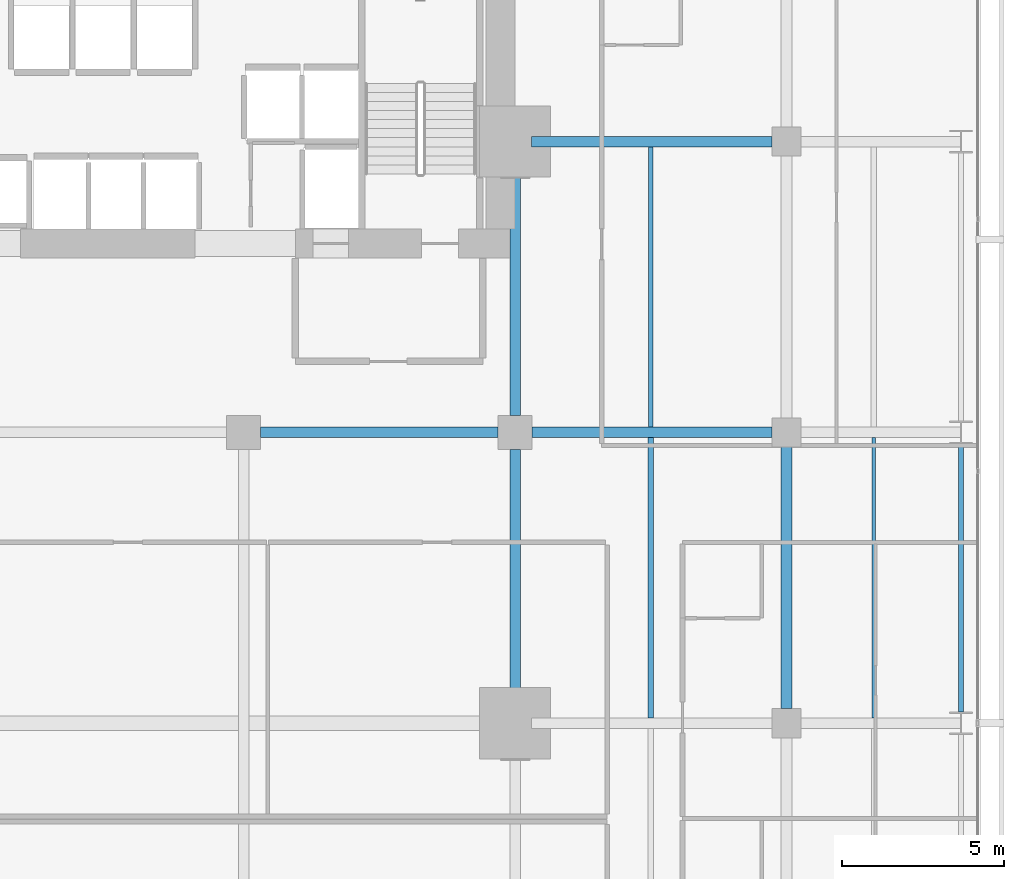
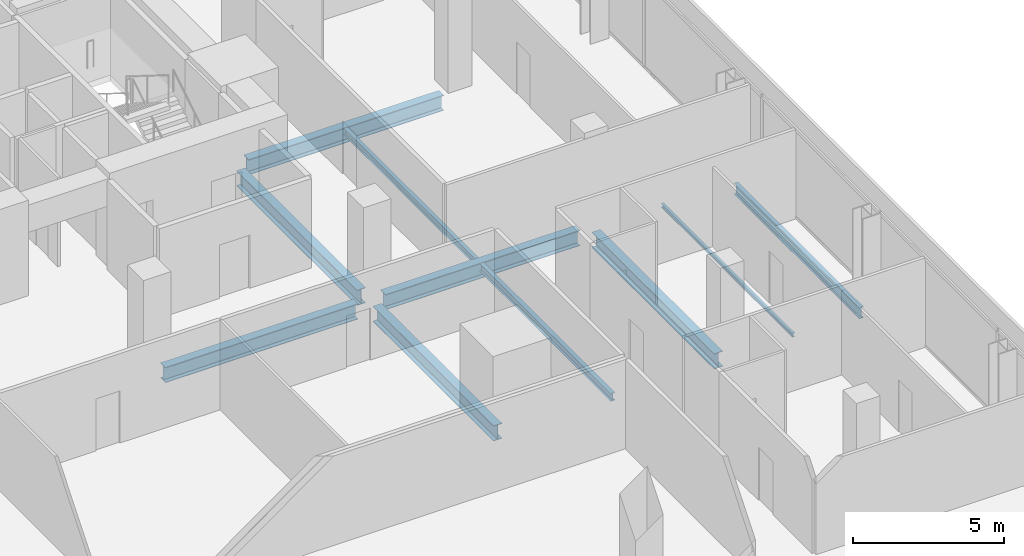
# One storey, part 27 of 39: 10 beams.
"""IFC4 building model written with IfcOpenShell, lengths in metres."""

import ifcopenshell
import ifcopenshell.guid

model = None  # the IFC model being written
_history = None  # IfcOwnerHistory: only IFC2X3 demands one
_inside = {}  # id of a spatial element -> (the spatial element, [elements in it])
_under = {}  # id of a project, library or spatial element -> (it, [spatial elements below it])
_declared = {}  # id of a project -> (the project, [libraries it declares])
_typed = {}  # id of a type object -> (the type object, [elements of that type])
_made_of = {}  # id of a material, layer set ... -> (it, [elements and type objects made of it])


def new_model(schema):
    """Start an empty IFC model of exactly this schema.

    Asked for "IFC4X3", IfcOpenShell would pick the latest addendum, in which some entities
    have other attributes; the version numbers below select the first issue.
    IFC2X3 requires an IfcOwnerHistory on every rooted entity: one is made here for all.
    """
    global model, _history
    if schema == "IFC4X3":
        model = ifcopenshell.file(schema_version=(4, 3, 0, 0))
    else:
        model = ifcopenshell.file(schema=schema)
    _inside.clear()
    _under.clear()
    _declared.clear()
    _typed.clear()
    _made_of.clear()
    _history = None
    if model.schema == "IFC2X3":
        org = make("IfcOrganization", Name="unknown")
        user = make(
            "IfcPersonAndOrganization",
            ThePerson=make("IfcPerson", FamilyName="unknown"),
            TheOrganization=org,
        )
        app = make(
            "IfcApplication",
            ApplicationDeveloper=org,
            Version="unknown",
            ApplicationFullName="unknown",
            ApplicationIdentifier="unknown",
        )
        _history = make(
            "IfcOwnerHistory",
            OwningUser=user,
            OwningApplication=app,
            ChangeAction="ADDED",
            CreationDate=0,
        )
    return model


def make(cls, **values):
    """One entity of the class cls with the attributes given. An attribute that is None is left unset."""
    return model.create_entity(
        cls, **{name: value for name, value in values.items() if value is not None}
    )


def rooted(cls, **values):
    """An entity with a GlobalId (a new one), such as an element, a storey or a relation."""
    return make(cls, GlobalId=ifcopenshell.guid.new(), OwnerHistory=_history, **values)


def si_unit(unit_type, name, prefix=None):
    """IfcSIUnit, for example si_unit("LENGTHUNIT", "METRE", prefix="MILLI")."""
    return make("IfcSIUnit", UnitType=unit_type, Prefix=prefix, Name=name)


def assignment(units):
    """IfcUnitAssignment: the units of a project."""
    return None if units is None else make("IfcUnitAssignment", Units=units)


def point(xyz):
    """IfcCartesianPoint."""
    return None if xyz is None else make("IfcCartesianPoint", Coordinates=xyz)


def direction(xyz):
    """IfcDirection."""
    return None if xyz is None else make("IfcDirection", DirectionRatios=xyz)


def frame(location, z_axis=None, x_axis=None):
    """IfcAxis2Placement3D, a coordinate frame: its origin and axes. An axis left out is left unset."""
    return make(
        "IfcAxis2Placement3D",
        Location=point(location),
        Axis=direction(z_axis),
        RefDirection=direction(x_axis),
    )


def frame_2d(location, x_axis=None):
    """IfcAxis2Placement2D, a coordinate frame in the plane: its origin and x axis."""
    return make(
        "IfcAxis2Placement2D", Location=point(location), RefDirection=direction(x_axis)
    )


def origin():
    """The frame at (0, 0, 0) with its axes left unset."""
    return frame((0.0, 0.0, 0.0))


def origin_2d():
    """The frame at (0, 0) in the plane with its x axis left unset."""
    return frame_2d((0.0, 0.0))


def place(relative_to, where):
    """IfcLocalPlacement: puts the frame where relative to a parent placement (None: the world)."""
    return make(
        "IfcLocalPlacement", PlacementRelTo=relative_to, RelativePlacement=where
    )


def context(
    kind, dimensions, precision=None, world=None, true_north=None, identifier=None
):
    """IfcGeometricRepresentationContext, for example the 3D "Model" context."""
    return make(
        "IfcGeometricRepresentationContext",
        ContextIdentifier=identifier,
        ContextType=kind,
        CoordinateSpaceDimension=dimensions,
        Precision=precision,
        WorldCoordinateSystem=world,
        TrueNorth=true_north,
    )


def subcontext(parent, identifier, kind, view, scale=None):
    """IfcGeometricRepresentationSubContext, for example "Body" below "Model"."""
    return make(
        "IfcGeometricRepresentationSubContext",
        ContextIdentifier=identifier,
        ContextType=kind,
        ParentContext=parent,
        TargetScale=scale,
        TargetView=view,
    )


def project(units=None, contexts=None):
    """IfcProject with its units and contexts."""
    return rooted(
        "IfcProject",
        Name="project",
        RepresentationContexts=contexts,
        UnitsInContext=assignment(units),
    )


def spatial(cls, under=None, at=None, **own):
    """A site, building, storey or space (cls), placed at a placement, below another one or the project."""
    s = rooted(cls, ObjectPlacement=at, **own)
    if under is not None:
        _under.setdefault(under.id(), (under, []))[1].append(s)
    return s


def profile(cls, at=None, kind="AREA", **sizes):
    """A parametric profile (cls). Its sizes go by their IFC names, for example OverallWidth=200.0."""
    return make(cls, ProfileType=kind, Position=at, **sizes)


def i_section(**sizes):
    """IfcIShapeProfileDef."""
    return profile("IfcIShapeProfileDef", **sizes)


def extrude(swept, where, along, depth):
    """IfcExtrudedAreaSolid: the profile swept, set in the frame where, extruded along a direction by depth."""
    return make(
        "IfcExtrudedAreaSolid",
        SweptArea=swept,
        Position=where,
        ExtrudedDirection=direction(along),
        Depth=depth,
    )


def shape(context_of_items, identifier, shape_type, items):
    """IfcShapeRepresentation: the items that make up one representation, for example the "Body"."""
    return make(
        "IfcShapeRepresentation",
        ContextOfItems=context_of_items,
        RepresentationIdentifier=identifier,
        RepresentationType=shape_type,
        Items=items,
    )


def material(Name=None, Category=None):
    """IfcMaterial."""
    return make("IfcMaterial", Name=Name, Category=Category)


def material_profile(
    of_material, cross_section, Name=None, Category=None, Priority=None
):
    """IfcMaterialProfile: a cross section and its material."""
    return make(
        "IfcMaterialProfile",
        Name=Name,
        Material=of_material,
        Profile=cross_section,
        Priority=Priority,
        Category=Category,
    )


def profile_set(profiles, Name=None, composite=None):
    """IfcMaterialProfileSet."""
    return make(
        "IfcMaterialProfileSet",
        Name=Name,
        MaterialProfiles=profiles,
        CompositeProfile=composite,
    )


def made_of(thing, what):
    """Note that an element or type object is made of a material, layer set ...; save() writes the relation."""
    if what is not None:
        _made_of.setdefault(what.id(), (what, []))[1].append(thing)
    return thing


def type_object(cls, material=None, **own):
    """A type object (cls), such as IfcWallType, which elements share."""
    return made_of(rooted(cls, **own), material)


def element(
    cls,
    number,
    at=None,
    inside=None,
    cuts=None,
    type_object=None,
    material=None,
    context=None,
    identifier="Body",
    shape_type=None,
    held_by="IfcProductDefinitionShape",
    body=None,
    shapes=None,
    **own,
):
    """One element of the class cls, such as IfcWall. Its Tag is "e" and its number.

    at: its placement. inside: the storey or other place that contains it. cuts: it is an
    opening in that element (IfcRelVoidsElement). A single representation is given by context,
    identifier, shape_type and body (its items); several are given by shapes. held_by: the class
    of the entity that holds the representations. save() writes the other relations.
    """
    e = rooted(cls, Tag="e%d" % number, ObjectPlacement=at, **own)
    if body is not None:
        shapes = [shape(context, identifier, shape_type, body)]
    if shapes is not None:
        e.Representation = make(held_by, Representations=shapes)
    if inside is not None:
        _inside.setdefault(inside.id(), (inside, []))[1].append(e)
    if cuts is not None:
        rooted(
            "IfcRelVoidsElement", RelatingBuildingElement=cuts, RelatedOpeningElement=e
        )
    if type_object is not None:
        _typed.setdefault(type_object.id(), (type_object, []))[1].append(e)
    return made_of(e, material)


def aggregate(whole, parts):
    """IfcRelAggregates: a whole, such as a stair, and the parts it consists of."""
    return rooted("IfcRelAggregates", RelatingObject=whole, RelatedObjects=parts)


def save(model, path):
    """Write the relations noted so far, then the file.

    IfcRelAggregates (storeys below a building ...), IfcRelContainedInSpatialStructure (elements
    in a storey), IfcRelDefinesByType, IfcRelAssociatesMaterial and IfcRelDeclares: one each for
    every whole, place, type object, material and project.
    """
    for whole, parts in _under.values():
        aggregate(whole, parts)
    for where, things in _inside.values():
        rooted(
            "IfcRelContainedInSpatialStructure",
            RelatedElements=things,
            RelatingStructure=where,
        )
    for kind, things in _typed.values():
        rooted("IfcRelDefinesByType", RelatedObjects=things, RelatingType=kind)
    for what, things in _made_of.values():
        rooted("IfcRelAssociatesMaterial", RelatedObjects=things, RelatingMaterial=what)
    for by, libraries in _declared.values():
        rooted("IfcRelDeclares", RelatingContext=by, RelatedDefinitions=libraries)
    model.write(path)


model = new_model("IFC4")

# Units and contexts
model_context = context("Model", 3, precision=1e-05, world=origin(), true_north=direction((0.0, 1.0)))
body_context = subcontext(model_context, "Body", "Model", "MODEL_VIEW")
ifc_project = project(units=[si_unit("LENGTHUNIT", "METRE"), si_unit("AREAUNIT", "SQUARE_METRE"), si_unit("VOLUMEUNIT", "CUBIC_METRE"), si_unit("PLANEANGLEUNIT", "RADIAN"), si_unit("MASSUNIT", "GRAM", prefix="KILO")], contexts=[model_context])

# Site, building, storey
site_placement = place(None, origin())
site = spatial("IfcSite", under=ifc_project, at=site_placement, CompositionType="ELEMENT")
building_placement = place(site_placement, origin())
building = spatial("IfcBuilding", under=site, at=building_placement, Name="Maruvema Waterfront Hotel and Observation Tower", CompositionType="ELEMENT")
storey_placement = place(building_placement, frame((0.0, 0.0, 69.300048828125)))
storey = spatial("IfcBuildingStorey", under=building, at=storey_placement, Name="L16", CompositionType="ELEMENT", Elevation=69.300048828125)

# Beams
ifc_material_1 = material(Name="Steel ASTM A572 Grade 50", Category="steel")
ifc_material_profile_1 = material_profile(ifc_material_1, i_section(OverallWidth=0.153076171875, OverallDepth=0.455078125, WebThickness=0.008056640625, FlangeThickness=0.01318359375, FilletRadius=0.014892578125, at=origin_2d()), Name="W460x60.0")
ifc_profile_set_1 = profile_set([ifc_material_profile_1], Name="Steel ASTM A572 Grade 50")
beam_type_1 = type_object("IfcBeamType", Name="Perimeter Spandrel Beam W460x60.0", PredefinedType="SPANDREL", material=ifc_profile_set_1)
beam_1_placement = place(storey_placement, frame((64.199951171875, 27.35009765625, -0.467529296875), z_axis=(0.0, 1.0, 0.0), x_axis=(-1.0, 0.0, 0.0)))
element("IfcBeam", 1, at=beam_1_placement, inside=storey, type_object=beam_type_1, Name="L16 Floor Girder NS-35", PredefinedType="SPANDREL", context=body_context, shape_type="SweptSolid", body=[
    extrude(i_section(OverallWidth=0.153076171875, OverallDepth=0.455078125, WebThickness=0.008056640625, FlangeThickness=0.01318359375, FilletRadius=0.014892578125, at=origin_2d()), origin(), (0.0, 0.0, 1.0), 8.2998046875),
])
ifc_material_2 = material(Name="Steel ASTM A572 Grade 50", Category="steel")
ifc_material_profile_2 = material_profile(ifc_material_2, i_section(OverallWidth=0.326904296875, OverallDepth=0.6220703125, WebThickness=0.015380859375, FlangeThickness=0.0244140625, FilletRadius=0.01806640625, at=origin_2d()), Name="W610x195.0")
ifc_profile_set_2 = profile_set([ifc_material_profile_2], Name="Steel ASTM A572 Grade 50")
beam_type_2 = type_object("IfcBeamType", Name="Primary Floor Girder W610x195.0", PredefinedType="BEAM", material=ifc_profile_set_2)
beam_2_placement = place(storey_placement, frame((42.52490234375, 36.0, -0.551025390625), z_axis=(1.0, 0.0, 0.0), x_axis=(0.0, 1.0, 0.0)))
element("IfcBeam", 2, at=beam_2_placement, inside=storey, type_object=beam_type_2, Name="L16 Floor Girder EW-29", PredefinedType="BEAM", context=body_context, shape_type="SweptSolid", body=[
    extrude(i_section(OverallWidth=0.326904296875, OverallDepth=0.6220703125, WebThickness=0.015380859375, FlangeThickness=0.0244140625, FilletRadius=0.01806640625, at=origin_2d()), origin(), (0.0, 0.0, 1.0), 7.35009765625),
])
beam_3_placement = place(storey_placement, frame((50.925048828125, 36.0, -0.551025390625), z_axis=(1.0, 0.0, 0.0), x_axis=(0.0, 1.0, 0.0)))
element("IfcBeam", 3, at=beam_3_placement, inside=storey, type_object=beam_type_2, Name="L16 Floor Girder EW-30", PredefinedType="BEAM", context=body_context, shape_type="SweptSolid", body=[
    extrude(i_section(OverallWidth=0.326904296875, OverallDepth=0.6220703125, WebThickness=0.015380859375, FlangeThickness=0.0244140625, FilletRadius=0.01806640625, at=origin_2d()), origin(), (0.0, 0.0, 1.0), 7.425048828125),
])
beam_4_placement = place(storey_placement, frame((50.89990234375, 45.0, -0.551025390625), z_axis=(1.0, 0.0, 0.0), x_axis=(0.0, 1.0, 0.0)))
element("IfcBeam", 4, at=beam_4_placement, inside=storey, type_object=beam_type_2, Name="L16 Floor Girder EW-34", PredefinedType="BEAM", context=body_context, shape_type="SweptSolid", body=[
    extrude(i_section(OverallWidth=0.326904296875, OverallDepth=0.6220703125, WebThickness=0.015380859375, FlangeThickness=0.0244140625, FilletRadius=0.01806640625, at=origin_2d()), origin(), (0.0, 0.0, 1.0), 7.4501953125),
])
for number, where, z_axis, x_axis, name in (
    (5, (50.39990234375, 27.5, -0.551025390625), (0.0, 1.0, 0.0), (-1.0, 0.0, 0.0), "L16 Floor Girder NS-25"),
    (6, (50.39990234375, 36.52490234375, -0.551025390625), (0.0, 1.0, 0.0), (-1.0, 0.0, 0.0), "L16 Floor Girder NS-26"),
):
    element("IfcBeam", number, at=place(storey_placement, frame(where, z_axis=z_axis, x_axis=x_axis)), inside=storey, type_object=beam_type_2, Name=name, PredefinedType="BEAM", context=body_context, shape_type="SweptSolid", body=[
        extrude(i_section(OverallWidth=0.326904296875, OverallDepth=0.6220703125, WebThickness=0.015380859375, FlangeThickness=0.0244140625, FilletRadius=0.01806640625, at=origin_2d()), origin(), (0.0, 0.0, 1.0), 7.97509765625),
    ])
beam_5_placement = place(storey_placement, frame((58.800048828125, 27.449951171875, -0.551025390625), z_axis=(0.0, 1.0, 0.0), x_axis=(-1.0, 0.0, 0.0)))
element("IfcBeam", 7, at=beam_5_placement, inside=storey, type_object=beam_type_2, Name="L16 Floor Girder NS-30", PredefinedType="BEAM", context=body_context, shape_type="SweptSolid", body=[
    extrude(i_section(OverallWidth=0.326904296875, OverallDepth=0.6220703125, WebThickness=0.015380859375, FlangeThickness=0.0244140625, FilletRadius=0.01806640625, at=origin_2d()), origin(), (0.0, 0.0, 1.0), 8.10009765625),
])
ifc_material_3 = material(Name="Steel ASTM A572 Grade 50", Category="steel")
ifc_material_profile_3 = material_profile(ifc_material_3, i_section(OverallWidth=0.10009765625, OverallDepth=0.153076171875, WebThickness=0.005859375, FlangeThickness=0.007080078125, FilletRadius=0.008056640625, at=origin_2d()), Name="W150x18.0")
ifc_profile_set_3 = profile_set([ifc_material_profile_3], Name="Steel ASTM A572 Grade 50")
beam_type_3 = type_object("IfcBeamType", Name="Secondary Floor Joist W150x18.0", PredefinedType="JOIST", material=ifc_profile_set_3)
beam_6_placement = place(storey_placement, frame((61.5, 27.16357421875, -0.316650390625), z_axis=(0.0, 1.0, 0.0), x_axis=(-1.0, 0.0, 0.0)))
element("IfcBeam", 8, at=beam_6_placement, inside=storey, type_object=beam_type_3, Name="L16 Secondary Floor Joist JS-23", PredefinedType="JOIST", context=body_context, shape_type="SweptSolid", body=[
    extrude(i_section(OverallWidth=0.10009765625, OverallDepth=0.153076171875, WebThickness=0.005859375, FlangeThickness=0.007080078125, FilletRadius=0.008056640625, at=origin_2d()), origin(), (0.0, 0.0, 1.0), 8.6728515625),
])
ifc_material_4 = material(Name="Steel ASTM A572 Grade 50", Category="steel")
ifc_material_profile_4 = material_profile(ifc_material_4, i_section(OverallWidth=0.14794921875, OverallDepth=0.26611328125, WebThickness=0.007568359375, FlangeThickness=0.012939453125, FilletRadius=0.012939453125, at=origin_2d()), Name="W250x44.8")
ifc_profile_set_4 = profile_set([ifc_material_profile_4], Name="Steel ASTM A572 Grade 50")
beam_type_4 = type_object("IfcBeamType", Name="Secondary Floor Joist W250x44.8", PredefinedType="JOIST", material=ifc_profile_set_4)
beam_7_placement = place(storey_placement, frame((54.60009765625, 36.16357421875, -0.373046875), z_axis=(0.0, 1.0, 0.0), x_axis=(-1.0, 0.0, 0.0)))
element("IfcBeam", 9, at=beam_7_placement, inside=storey, type_object=beam_type_4, Name="L16 Secondary Floor Joist JS-20", PredefinedType="JOIST", context=body_context, shape_type="SweptSolid", body=[
    extrude(i_section(OverallWidth=0.14794921875, OverallDepth=0.26611328125, WebThickness=0.007568359375, FlangeThickness=0.012939453125, FilletRadius=0.012939453125, at=origin_2d()), origin(), (0.0, 0.0, 1.0), 8.6728515625),
])
ifc_material_5 = material(Name="Steel ASTM A572 Grade 50", Category="steel")
ifc_material_profile_5 = material_profile(ifc_material_5, i_section(OverallWidth=0.1650390625, OverallDepth=0.31005859375, WebThickness=0.005859375, FlangeThickness=0.009765625, FilletRadius=0.012939453125, at=origin_2d()), Name="W310x38.7")
ifc_profile_set_5 = profile_set([ifc_material_profile_5], Name="Steel ASTM A572 Grade 50")
beam_type_5 = type_object("IfcBeamType", Name="Secondary Floor Joist W310x38.7", PredefinedType="JOIST", material=ifc_profile_set_5)
beam_8_placement = place(storey_placement, frame((54.60009765625, 27.16357421875, -0.39501953125), z_axis=(0.0, 1.0, 0.0), x_axis=(-1.0, 0.0, 0.0)))
element("IfcBeam", 10, at=beam_8_placement, inside=storey, type_object=beam_type_5, Name="L16 Secondary Floor Joist JS-19", PredefinedType="JOIST", context=body_context, shape_type="SweptSolid", body=[
    extrude(i_section(OverallWidth=0.1650390625, OverallDepth=0.31005859375, WebThickness=0.005859375, FlangeThickness=0.009765625, FilletRadius=0.012939453125, at=origin_2d()), origin(), (0.0, 0.0, 1.0), 8.6728515625),
])

save(model, "model.ifc")
